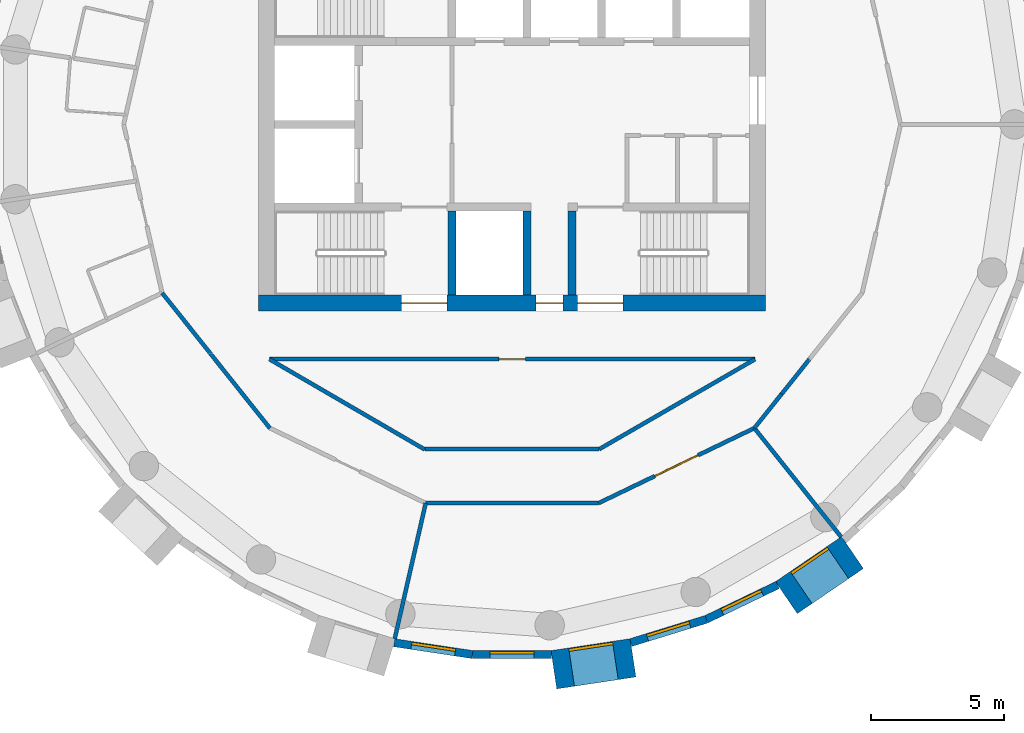
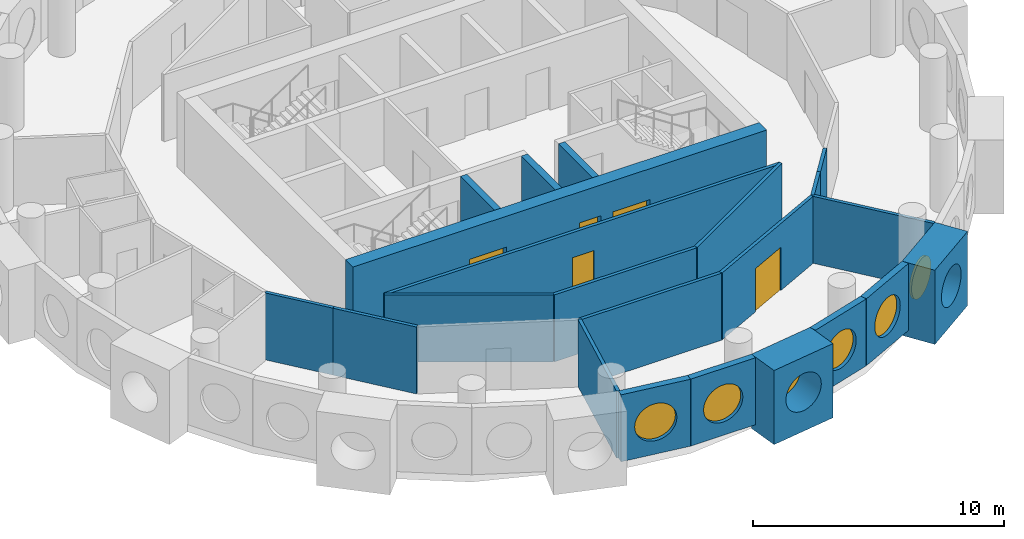
# One storey, part 3 of 12: 22 walls, 6 windows, 5 doors, 11 openings.
"""IFC4 building model written with IfcOpenShell, lengths in metres."""

from ifc_helpers import new_model, si_unit, direction, frame, frame_2d, origin, origin_2d, place, context, subcontext, project, spatial, rectangle, circle, extrude, material, layer, layer_set, type_object, element, fill, save


model = new_model("IFC4")

# Units and contexts
model_context = context("Model", 3, precision=1e-05, world=origin(), true_north=direction((0.0, 1.0)))
body_context = subcontext(model_context, "Body", "Model", "MODEL_VIEW")
ifc_project = project(units=[si_unit("LENGTHUNIT", "METRE"), si_unit("AREAUNIT", "SQUARE_METRE"), si_unit("VOLUMEUNIT", "CUBIC_METRE"), si_unit("PLANEANGLEUNIT", "RADIAN"), si_unit("MASSUNIT", "GRAM", prefix="KILO")], contexts=[model_context])

# Site, building, storey
site_placement = place(None, origin())
site = spatial("IfcSite", under=ifc_project, at=site_placement, CompositionType="ELEMENT")
building_placement = place(site_placement, origin())
building = spatial("IfcBuilding", under=site, at=building_placement, Name="Tracery Tower", CompositionType="ELEMENT")
storey_placement = place(building_placement, frame((0.0, 0.0, 245.39990234375)))
storey = spatial("IfcBuildingStorey", under=building, at=storey_placement, Name="L63", CompositionType="ELEMENT", Elevation=245.39990234375)

# Wall, openings, doors
ifc_material_1 = material(Name="Concrete C40/50", Category="concrete")
ifc_layer_1 = layer(ifc_material_1, 0.60009765625)
ifc_layer_set_1 = layer_set([ifc_layer_1], Name="Core wall 600 C40")
wall_type_1 = type_object("IfcWallType", Name="Core wall 600 C40", PredefinedType="SOLIDWALL", material=ifc_layer_set_1)
wall_1_placement = place(storey_placement, frame((-9.5, -6.699951171875, 0.0), z_axis=(0.0, 0.0, 1.0), x_axis=(1.0, 0.0, 0.0)))
wall_1 = element("IfcWall", 1, at=wall_1_placement, inside=storey, type_object=wall_type_1, Name="L63 outer S", PredefinedType="SOLIDWALL", context=body_context, shape_type="SweptSolid", body=[
    extrude(rectangle(XDim=19.0, YDim=0.60009765625, at=frame_2d((9.5, 0.0))), origin(), (0.0, 0.0, 1.0), 3.60009765625),
])
opening_1_placement = place(wall_1_placement, frame((10.39990234375, 0.0, 0.0)))
opening_1 = element("IfcOpeningElement", 2, at=opening_1_placement, cuts=wall_1, Name="Opening KD16", PredefinedType="OPENING", context=body_context, shape_type="SweptSolid", body=[
    extrude(rectangle(XDim=1.0, YDim=2.10009765625, at=frame_2d((0.5, 1.050048828125))), frame((0.0, 0.300048828125, 0.0), z_axis=(0.0, -1.0, 0.0), x_axis=(1.0, 0.0, 0.0)), (0.0, 0.0, 1.0), 0.60009765625),
])
opening_2_placement = place(wall_1_placement, frame((5.35009765625, 0.0, 0.0)))
opening_2 = element("IfcOpeningElement", 3, at=opening_2_placement, cuts=wall_1, Name="Opening KD3", PredefinedType="OPENING", context=body_context, shape_type="SweptSolid", body=[
    extrude(rectangle(XDim=1.699951171875, YDim=2.10009765625, at=frame_2d((0.85009765625, 1.050048828125))), frame((0.0, 0.300048828125, 0.0), z_axis=(0.0, -1.0, 0.0), x_axis=(1.0, 0.0, 0.0)), (0.0, 0.0, 1.0), 0.60009765625),
])
opening_3_placement = place(wall_1_placement, frame((11.949951171875, 0.0, 0.0)))
opening_3 = element("IfcOpeningElement", 4, at=opening_3_placement, cuts=wall_1, Name="Opening KD3", PredefinedType="OPENING", context=body_context, shape_type="SweptSolid", body=[
    extrude(rectangle(XDim=1.699951171875, YDim=2.10009765625, at=frame_2d((0.85009765625, 1.050048828125))), frame((0.0, 0.300048828125, 0.0), z_axis=(0.0, -1.0, 0.0), x_axis=(1.0, 0.0, 0.0)), (0.0, 0.0, 1.0), 0.60009765625),
])
ifc_material_2 = material(Name="Steel fire door", Category="steel")
door_type_1 = type_object("IfcDoorType", Name="Core exit door 1000", OperationType="NOTDEFINED", PredefinedType="DOOR", material=ifc_material_2)
door_1_placement = place(opening_1_placement, origin())
door_1 = element("IfcDoor", 5, at=door_1_placement, inside=storey, type_object=door_type_1, Name="Core exit door", OperationType="SINGLE_SWING_LEFT", OverallHeight=2.10009765625, OverallWidth=1.0, PredefinedType="DOOR", context=body_context, shape_type="SweptSolid", body=[
    extrude(rectangle(XDim=1.0, YDim=2.10009765625, at=frame_2d((0.5, 1.050048828125))), frame((0.0, 0.02490234375, 0.0), z_axis=(0.0, -1.0, 0.0), x_axis=(1.0, 0.0, 0.0)), (0.0, 0.0, 1.0), 0.050048828125),
])
fill(opening_1, door_1)
ifc_material_3 = material(Name="Steel fire door", Category="steel")
door_type_2 = type_object("IfcDoorType", Name="Core stair door 1700 double", OperationType="NOTDEFINED", PredefinedType="DOOR", material=ifc_material_3)
door_2_placement = place(opening_2_placement, origin())
door_2 = element("IfcDoor", 6, at=door_2_placement, inside=storey, type_object=door_type_2, Name="Stair door ST1 exit", OperationType="DOUBLE_DOOR_SINGLE_SWING", OverallHeight=2.10009765625, OverallWidth=1.699951171875, PredefinedType="DOOR", context=body_context, shape_type="SweptSolid", body=[
    extrude(rectangle(XDim=1.699951171875, YDim=2.10009765625, at=frame_2d((0.85009765625, 1.050048828125))), frame((0.0, 0.02490234375, 0.0), z_axis=(0.0, -1.0, 0.0), x_axis=(1.0, 0.0, 0.0)), (0.0, 0.0, 1.0), 0.050048828125),
])
fill(opening_2, door_2)
door_3_placement = place(opening_3_placement, origin())
door_3 = element("IfcDoor", 7, at=door_3_placement, inside=storey, type_object=door_type_2, Name="Stair door ST2 exit", OperationType="DOUBLE_DOOR_SINGLE_SWING", OverallHeight=2.10009765625, OverallWidth=1.699951171875, PredefinedType="DOOR", context=body_context, shape_type="SweptSolid", body=[
    extrude(rectangle(XDim=1.699951171875, YDim=2.10009765625, at=frame_2d((0.85009765625, 1.050048828125))), frame((0.0, 0.02490234375, 0.0), z_axis=(0.0, -1.0, 0.0), x_axis=(1.0, 0.0, 0.0)), (0.0, 0.0, 1.0), 0.050048828125),
])
fill(opening_3, door_3)

# Wall, opening, window
ifc_material_4 = material(Name="Precast concrete C50/60", Category="concrete")
ifc_layer_2 = layer(ifc_material_4, 1.449951171875)
ifc_layer_set_2 = layer_set([ifc_layer_2], Name="Deep-set bay unit 3000 x 3600, slab edge 350")
wall_type_2 = type_object("IfcWallType", Name="Deep-set bay unit 3000 x 3600, slab edge 350", PredefinedType="ELEMENTEDWALL", material=ifc_layer_set_2)
wall_2_placement = place(storey_placement, frame((1.563232421875, -20.436279296875, -0.349853515625), z_axis=(0.0, 0.0, 1.0), x_axis=(0.988836445254, 0.149004981587, 0.0)))
wall_2 = element("IfcWall", 8, at=wall_2_placement, inside=storey, type_object=wall_type_2, Name="Deep-set bay unit 33 at L63", PredefinedType="ELEMENTEDWALL", context=body_context, shape_type="SweptSolid", body=[
    extrude(rectangle(XDim=3.0, YDim=1.449951171875, at=frame_2d((1.5, 0.0))), origin(), (0.0, 0.0, 1.0), 3.599853515625),
])
opening_4_placement = place(wall_2_placement, frame((1.5, 0.0, 1.89990234375)))
opening_4 = element("IfcOpeningElement", 9, at=opening_4_placement, cuts=wall_2, Name="Opening WN1", PredefinedType="OPENING", context=body_context, shape_type="SweptSolid", body=[
    extrude(circle(Radius=0.9000244140625, at=origin_2d()), frame((0.0, 0.73486328125, 0.0), z_axis=(0.0, -1.0, 0.0), x_axis=(1.0, 0.0, 0.0)), (0.0, 0.0, 1.0), 1.469970703125),
])
ifc_material_5 = material(Name="Aluminium frame with tinted double glazing", Category="aluminium")
window_type = type_object("IfcWindowType", Name="Round window 1800", PartitioningType="SINGLE_PANEL", PredefinedType="WINDOW", material=ifc_material_5)
window_1_placement = place(opening_4_placement, origin())
window_1 = element("IfcWindow", 10, at=window_1_placement, inside=storey, type_object=window_type, Name="Round window 33 at L63", OverallHeight=1.800048828125, OverallWidth=1.800048828125, PartitioningType="SINGLE_PANEL", PredefinedType="WINDOW", context=body_context, shape_type="SweptSolid", body=[
    extrude(circle(Radius=0.9000244140625, at=origin_2d()), frame((0.0, 0.69482421875, 0.0), z_axis=(0.0, -1.0, 0.0), x_axis=(1.0, 0.0, 0.0)), (0.0, 0.0, 1.0), 0.10009765625),
])
fill(opening_4, window_1)

wall_3_placement = place(storey_placement, frame((10.275390625, -17.734130859375, -0.349853515625), z_axis=(0.0, 0.0, 1.0), x_axis=(0.826246281157, 0.563309047392, 0.0)))
wall_3 = element("IfcWall", 11, at=wall_3_placement, inside=storey, type_object=wall_type_2, Name="Deep-set bay unit 36 at L63", PredefinedType="ELEMENTEDWALL", context=body_context, shape_type="SweptSolid", body=[
    extrude(rectangle(XDim=3.0, YDim=1.449951171875, at=frame_2d((1.5, 0.0))), origin(), (0.0, 0.0, 1.0), 3.599853515625),
])
opening_5_placement = place(wall_3_placement, frame((1.5, 0.0, 1.89990234375)))
opening_5 = element("IfcOpeningElement", 12, at=opening_5_placement, cuts=wall_3, Name="Opening WN1", PredefinedType="OPENING", context=body_context, shape_type="SweptSolid", body=[
    extrude(circle(Radius=0.9000244140625, at=origin_2d()), frame((0.0, 0.73486328125, 0.0), z_axis=(0.0, -1.0, 0.0), x_axis=(1.0, 0.0, 0.0)), (0.0, 0.0, 1.0), 1.469970703125),
])
window_2_placement = place(opening_5_placement, origin())
window_2 = element("IfcWindow", 13, at=window_2_placement, inside=storey, type_object=window_type, Name="Round window 36 at L63", OverallHeight=1.800048828125, OverallWidth=1.800048828125, PartitioningType="SINGLE_PANEL", PredefinedType="WINDOW", context=body_context, shape_type="SweptSolid", body=[
    extrude(circle(Radius=0.9000244140625, at=origin_2d()), frame((0.0, 0.69482421875, 0.0), z_axis=(0.0, -1.0, 0.0), x_axis=(1.0, 0.0, 0.0)), (0.0, 0.0, 1.0), 0.10009765625),
])
fill(opening_5, window_2)

ifc_material_6 = material(Name="Precast concrete C50/60", Category="concrete")
ifc_layer_3 = layer(ifc_material_6, 0.300048828125)
ifc_layer_set_3 = layer_set([ifc_layer_3], Name="Facade panel 3000 x 3250")
wall_type_3 = type_object("IfcWallType", Name="Facade panel 3000 x 3250", PredefinedType="SOLIDWALL", material=ifc_layer_set_3)
wall_4_placement = place(storey_placement, frame((-4.41796875, -19.424560546875, 0.0), z_axis=(0.0, 0.0, 1.0), x_axis=(0.988835775663, -0.149009425104, 0.0)))
wall_4 = element("IfcWall", 14, at=wall_4_placement, inside=storey, type_object=wall_type_3, Name="Facade panel 31 at L63", PredefinedType="SOLIDWALL", context=body_context, shape_type="SweptSolid", body=[
    extrude(rectangle(XDim=2.962158203125, YDim=0.300048828125, at=frame_2d((1.48095703125, 0.0))), origin(), (0.0, 0.0, 1.0), 3.25),
])
opening_6_placement = place(wall_4_placement, frame((1.48095703125, 0.0, 1.5498046875)))
opening_6 = element("IfcOpeningElement", 15, at=opening_6_placement, cuts=wall_4, Name="Opening WN1", PredefinedType="OPENING", context=body_context, shape_type="SweptSolid", body=[
    extrude(circle(Radius=0.9000244140625, at=origin_2d()), frame((0.0, 0.159912109375, 0.0), z_axis=(0.0, -1.0, 0.0), x_axis=(1.0, 0.0, 0.0)), (0.0, 0.0, 1.0), 0.320068359375),
])
window_3_placement = place(opening_6_placement, origin())
window_3 = element("IfcWindow", 16, at=window_3_placement, inside=storey, type_object=window_type, Name="Round window 31 at L63", OverallHeight=1.800048828125, OverallWidth=1.800048828125, PartitioningType="SINGLE_PANEL", PredefinedType="WINDOW", context=body_context, shape_type="SweptSolid", body=[
    extrude(circle(Radius=0.9000244140625, at=origin_2d()), frame((0.0, 0.1201171875, 0.0), z_axis=(0.0, -1.0, 0.0), x_axis=(1.0, 0.0, 0.0)), (0.0, 0.0, 1.0), 0.10009765625),
])
fill(opening_6, window_3)

wall_5_placement = place(storey_placement, frame((-1.48876953125, -19.865966796875, 0.0), z_axis=(0.0, 0.0, 1.0), x_axis=(1.0, 0.0, 0.0)))
wall_5 = element("IfcWall", 17, at=wall_5_placement, inside=storey, type_object=wall_type_3, Name="Facade panel 32 at L63", PredefinedType="SOLIDWALL", context=body_context, shape_type="SweptSolid", body=[
    extrude(rectangle(XDim=2.962158203125, YDim=0.300048828125, at=frame_2d((1.48095703125, 0.0))), origin(), (0.0, 0.0, 1.0), 3.25),
])
opening_7_placement = place(wall_5_placement, frame((1.48095703125, 0.0, 1.5498046875)))
opening_7 = element("IfcOpeningElement", 18, at=opening_7_placement, cuts=wall_5, Name="Opening WN1", PredefinedType="OPENING", context=body_context, shape_type="SweptSolid", body=[
    extrude(circle(Radius=0.9000244140625, at=origin_2d()), frame((0.0, 0.159912109375, 0.0), z_axis=(0.0, -1.0, 0.0), x_axis=(1.0, 0.0, 0.0)), (0.0, 0.0, 1.0), 0.320068359375),
])
window_4_placement = place(opening_7_placement, origin())
window_4 = element("IfcWindow", 19, at=window_4_placement, inside=storey, type_object=window_type, Name="Round window 32 at L63", OverallHeight=1.800048828125, OverallWidth=1.800048828125, PartitioningType="SINGLE_PANEL", PredefinedType="WINDOW", context=body_context, shape_type="SweptSolid", body=[
    extrude(circle(Radius=0.9000244140625, at=origin_2d()), frame((0.0, 0.1201171875, 0.0), z_axis=(0.0, -1.0, 0.0), x_axis=(1.0, 0.0, 0.0)), (0.0, 0.0, 1.0), 0.10009765625),
])
fill(opening_7, window_4)

wall_6_placement = place(storey_placement, frame((4.447509765625, -19.417724609375, 0.0), z_axis=(0.0, 0.0, 1.0), x_axis=(0.95558635705, 0.294711238707, 0.0)))
wall_6 = element("IfcWall", 20, at=wall_6_placement, inside=storey, type_object=wall_type_3, Name="Facade panel 34 at L63", PredefinedType="SOLIDWALL", context=body_context, shape_type="SweptSolid", body=[
    extrude(rectangle(XDim=2.96240234375, YDim=0.300048828125, at=frame_2d((1.481201171875, 0.0))), origin(), (0.0, 0.0, 1.0), 3.25),
])
opening_8_placement = place(wall_6_placement, frame((1.48095703125, 0.0, 1.5498046875)))
opening_8 = element("IfcOpeningElement", 21, at=opening_8_placement, cuts=wall_6, Name="Opening WN1", PredefinedType="OPENING", context=body_context, shape_type="SweptSolid", body=[
    extrude(circle(Radius=0.9000244140625, at=origin_2d()), frame((0.0, 0.159912109375, 0.0), z_axis=(0.0, -1.0, 0.0), x_axis=(1.0, 0.0, 0.0)), (0.0, 0.0, 1.0), 0.320068359375),
])
window_5_placement = place(opening_8_placement, origin())
window_5 = element("IfcWindow", 22, at=window_5_placement, inside=storey, type_object=window_type, Name="Round window 34 at L63", OverallHeight=1.800048828125, OverallWidth=1.800048828125, PartitioningType="SINGLE_PANEL", PredefinedType="WINDOW", context=body_context, shape_type="SweptSolid", body=[
    extrude(circle(Radius=0.9000244140625, at=origin_2d()), frame((0.0, 0.1201171875, 0.0), z_axis=(0.0, -1.0, 0.0), x_axis=(1.0, 0.0, 0.0)), (0.0, 0.0, 1.0), 0.10009765625),
])
fill(opening_8, window_5)

wall_7_placement = place(storey_placement, frame((7.2783203125, -18.544677734375, 0.0), z_axis=(0.0, 0.0, 1.0), x_axis=(0.900939615635, 0.433944476838, 0.0)))
wall_7 = element("IfcWall", 23, at=wall_7_placement, inside=storey, type_object=wall_type_3, Name="Facade panel 35 at L63", PredefinedType="SOLIDWALL", context=body_context, shape_type="SweptSolid", body=[
    extrude(rectangle(XDim=2.962158203125, YDim=0.300048828125, at=frame_2d((1.48095703125, 0.0))), origin(), (0.0, 0.0, 1.0), 3.25),
])
opening_9_placement = place(wall_7_placement, frame((1.48095703125, 0.0, 1.5498046875)))
opening_9 = element("IfcOpeningElement", 24, at=opening_9_placement, cuts=wall_7, Name="Opening WN1", PredefinedType="OPENING", context=body_context, shape_type="SweptSolid", body=[
    extrude(circle(Radius=0.9000244140625, at=origin_2d()), frame((0.0, 0.159912109375, 0.0), z_axis=(0.0, -1.0, 0.0), x_axis=(1.0, 0.0, 0.0)), (0.0, 0.0, 1.0), 0.320068359375),
])
window_6_placement = place(opening_9_placement, origin())
window_6 = element("IfcWindow", 25, at=window_6_placement, inside=storey, type_object=window_type, Name="Round window 35 at L63", OverallHeight=1.800048828125, OverallWidth=1.800048828125, PartitioningType="SINGLE_PANEL", PredefinedType="WINDOW", context=body_context, shape_type="SweptSolid", body=[
    extrude(circle(Radius=0.9000244140625, at=origin_2d()), frame((0.0, 0.1201171875, 0.0), z_axis=(0.0, -1.0, 0.0), x_axis=(1.0, 0.0, 0.0)), (0.0, 0.0, 1.0), 0.10009765625),
])
fill(opening_9, window_6)

# Walls
ifc_material_7 = material(Name="Plasterboard on steel studs", Category="steel")
ifc_layer_4 = layer(ifc_material_7, 0.14990234375)
ifc_layer_set_4 = layer_set([ifc_layer_4], Name="Partition 150 acoustic unit wall")
wall_type_4 = type_object("IfcWallType", Name="Partition 150 acoustic unit wall", PredefinedType="PARTITIONING", material=ifc_layer_set_4)
wall_8_placement = place(storey_placement, frame((-4.39990234375, -19.27587890625, 0.0), z_axis=(0.0, 0.0, 1.0), x_axis=(0.222612505682, 0.974907007008, 0.0)))
element("IfcWall", 26, at=wall_8_placement, inside=storey, type_object=wall_type_4, Name="Unit wall RC2-066", PredefinedType="PARTITIONING", context=body_context, shape_type="SweptSolid", body=[
    extrude(rectangle(XDim=5.21484375, YDim=0.14990234375, at=frame_2d((2.607421875, 0.0))), origin(), (0.0, 0.0, 1.0), 3.25),
])
wall_9_placement = place(storey_placement, frame((9.075927734375, -11.381103515625, 0.0), z_axis=(0.0, 0.0, 1.0), x_axis=(0.623460949534, -0.781854490558, 0.0)))
element("IfcWall", 27, at=wall_9_placement, inside=storey, type_object=wall_type_4, Name="Unit wall RC2-067", PredefinedType="PARTITIONING", context=body_context, shape_type="SweptSolid", body=[
    extrude(rectangle(XDim=5.21435546875, YDim=0.14990234375, at=frame_2d((2.607177734375, 0.0))), origin(), (0.0, 0.0, 1.0), 3.25),
])

# Wall, opening, door
ifc_material_8 = material(Name="Plasterboard on steel studs", Category="steel")
ifc_layer_5 = layer(ifc_material_8, 0.14990234375)
ifc_layer_set_5 = layer_set([ifc_layer_5], Name="Partition 150 corridor wall")
wall_type_5 = type_object("IfcWallType", Name="Partition 150 corridor wall", PredefinedType="PARTITIONING", material=ifc_layer_set_5)
wall_10_placement = place(storey_placement, frame((-9.092041015625, -8.800048828125, 0.0), z_axis=(0.0, 0.0, 1.0), x_axis=(1.0, 0.0, 0.0)))
wall_10 = element("IfcWall", 28, at=wall_10_placement, inside=storey, type_object=wall_type_5, Name="Corridor wall RC2-012", PredefinedType="PARTITIONING", context=body_context, shape_type="SweptSolid", body=[
    extrude(rectangle(XDim=18.192626953125, YDim=0.14990234375, at=frame_2d((9.09619140625, 0.0))), origin(), (0.0, 0.0, 1.0), 3.25),
])
opening_10_placement = place(wall_10_placement, frame((8.592041015625, 0.0, 0.0)))
opening_10 = element("IfcOpeningElement", 29, at=opening_10_placement, cuts=wall_10, Name="Opening RC2-03", PredefinedType="OPENING", context=body_context, shape_type="SweptSolid", body=[
    extrude(rectangle(XDim=1.0, YDim=2.0400390625, at=frame_2d((0.5, 1.02001953125))), frame((0.0, 0.074951171875, 0.0), z_axis=(0.0, -1.0, 0.0), x_axis=(1.0, 0.0, 0.0)), (0.0, 0.0, 1.0), 0.14990234375),
])
ifc_material_9 = material(Name="Timber door leaf", Category="wood")
door_type_3 = type_object("IfcDoorType", Name="Door communal room 1000", OperationType="NOTDEFINED", PredefinedType="DOOR", material=ifc_material_9)
door_4_placement = place(opening_10_placement, origin())
door_4 = element("IfcDoor", 30, at=door_4_placement, inside=storey, type_object=door_type_3, Name="Communal room door RC2-03", OperationType="SINGLE_SWING_RIGHT", OverallHeight=2.0400390625, OverallWidth=1.0, PredefinedType="DOOR", context=body_context, shape_type="SweptSolid", body=[
    extrude(rectangle(XDim=1.0, YDim=2.0400390625, at=frame_2d((0.5, 1.02001953125))), frame((0.0, 0.02490234375, 0.0), z_axis=(0.0, -1.0, 0.0), x_axis=(1.0, 0.0, 0.0)), (0.0, 0.0, 1.0), 0.050048828125),
])
fill(opening_10, door_4)

# Walls
wall_11_placement = place(storey_placement, frame((-9.092041015625, -8.800048828125, 0.0), z_axis=(0.0, 0.0, 1.0), x_axis=(0.864470922103, -0.502682827277, 0.0)))
element("IfcWall", 31, at=wall_11_placement, inside=storey, type_object=wall_type_5, Name="Corridor wall RC2-013", PredefinedType="PARTITIONING", context=body_context, shape_type="SweptSolid", body=[
    extrude(rectangle(XDim=6.7353515625, YDim=0.14990234375, at=frame_2d((3.36767578125, 0.0))), origin(), (0.0, 0.0, 1.0), 3.25),
])
wall_12_placement = place(storey_placement, frame((-11.300048828125, -8.59619140625, 0.0), z_axis=(0.0, 0.0, 1.0), x_axis=(0.623165080354, -0.782090328944, 0.0)))
element("IfcWall", 32, at=wall_12_placement, inside=storey, type_object=wall_type_5, Name="Corridor wall RC2-014", PredefinedType="PARTITIONING", context=body_context, shape_type="SweptSolid", body=[
    extrude(rectangle(XDim=3.56396484375, YDim=0.14990234375, at=frame_2d((1.781982421875, 0.0))), origin(), (0.0, 0.0, 1.0), 3.25),
])
wall_13_placement = place(storey_placement, frame((10.10107421875, -10.10107421875, 0.0), z_axis=(0.0, 0.0, 1.0), x_axis=(0.623098344652, 0.782143498913, 0.0)))
element("IfcWall", 33, at=wall_13_placement, inside=storey, type_object=wall_type_5, Name="Corridor wall RC2-019", PredefinedType="PARTITIONING", context=body_context, shape_type="SweptSolid", body=[
    extrude(rectangle(XDim=1.660888671875, YDim=0.14990234375, at=frame_2d((0.83056640625, 0.0))), origin(), (0.0, 0.0, 1.0), 3.25),
])
wall_14_placement = place(storey_placement, frame((-13.114990234375, -6.31591796875, 0.0), z_axis=(0.0, 0.0, 1.0), x_axis=(0.623446514299, -0.781866001185, 0.0)))
element("IfcWall", 34, at=wall_14_placement, inside=storey, type_object=wall_type_5, Name="Corridor wall RC2-036", PredefinedType="PARTITIONING", context=body_context, shape_type="SweptSolid", body=[
    extrude(rectangle(XDim=2.9111328125, YDim=0.14990234375, at=frame_2d((1.45556640625, 0.0))), origin(), (0.0, 0.0, 1.0), 3.25),
])
wall_15_placement = place(storey_placement, frame((-3.260986328125, -12.1708984375, 0.0), z_axis=(0.0, 0.0, 1.0), x_axis=(1.0, 0.0, 0.0)))
element("IfcWall", 35, at=wall_15_placement, inside=storey, type_object=wall_type_5, Name="Corridor wall RC2-037", PredefinedType="PARTITIONING", context=body_context, shape_type="SweptSolid", body=[
    extrude(rectangle(XDim=6.52197265625, YDim=0.14990234375, at=frame_2d((3.260986328125, 0.0))), origin(), (0.0, 0.0, 1.0), 3.25),
])
wall_16_placement = place(storey_placement, frame((3.260986328125, -12.1708984375, 0.0), z_axis=(0.0, 0.0, 1.0), x_axis=(0.866066809554, 0.499928276245, 0.0)))
element("IfcWall", 36, at=wall_16_placement, inside=storey, type_object=wall_type_5, Name="Corridor wall RC2-038", PredefinedType="PARTITIONING", context=body_context, shape_type="SweptSolid", body=[
    extrude(rectangle(XDim=6.74267578125, YDim=0.14990234375, at=frame_2d((3.371337890625, 0.0))), origin(), (0.0, 0.0, 1.0), 3.25),
])

# Wall, opening, door
wall_17_placement = place(storey_placement, frame((3.239013671875, -14.19189453125, 0.0), z_axis=(0.0, 0.0, 1.0), x_axis=(0.900976027191, 0.433868872388, 0.0)))
wall_17 = element("IfcWall", 37, at=wall_17_placement, inside=storey, type_object=wall_type_5, Name="Corridor wall RC2-040", PredefinedType="PARTITIONING", context=body_context, shape_type="SweptSolid", body=[
    extrude(rectangle(XDim=6.478515625, YDim=0.14990234375, at=frame_2d((3.2392578125, 0.0))), origin(), (0.0, 0.0, 1.0), 3.25),
])
opening_11_placement = place(wall_17_placement, frame((2.339599609375, 0.0, 0.0)))
opening_11 = element("IfcOpeningElement", 38, at=opening_11_placement, cuts=wall_17, Name="Opening RC2-19", PredefinedType="OPENING", context=body_context, shape_type="SweptSolid", body=[
    extrude(rectangle(XDim=1.800048828125, YDim=2.10009765625, at=frame_2d((0.89990234375, 1.050048828125))), frame((0.0, 0.074951171875, 0.0), z_axis=(0.0, -1.0, 0.0), x_axis=(1.0, 0.0, 0.0)), (0.0, 0.0, 1.0), 0.14990234375),
])
ifc_material_10 = material(Name="Timber door leaf", Category="wood")
door_type_4 = type_object("IfcDoorType", Name="Door double lounge 1800", OperationType="NOTDEFINED", PredefinedType="DOOR", material=ifc_material_10)
door_5_placement = place(opening_11_placement, origin())
door_5 = element("IfcDoor", 39, at=door_5_placement, inside=storey, type_object=door_type_4, Name="Double lounge door RC2-19", OperationType="DOUBLE_DOOR_SINGLE_SWING", OverallHeight=2.10009765625, OverallWidth=1.800048828125, PredefinedType="DOOR", context=body_context, shape_type="SweptSolid", body=[
    extrude(rectangle(XDim=1.800048828125, YDim=2.10009765625, at=frame_2d((0.89990234375, 1.050048828125))), frame((0.0, 0.02490234375, 0.0), z_axis=(0.0, -1.0, 0.0), x_axis=(1.0, 0.0, 0.0)), (0.0, 0.0, 1.0), 0.050048828125),
])
fill(opening_11, door_5)

# Walls
wall_18_placement = place(storey_placement, frame((-3.239013671875, -14.19189453125, 0.0), z_axis=(0.0, 0.0, 1.0), x_axis=(1.0, 0.0, 0.0)))
element("IfcWall", 40, at=wall_18_placement, inside=storey, type_object=wall_type_5, Name="Corridor wall RC2-041", PredefinedType="PARTITIONING", context=body_context, shape_type="SweptSolid", body=[
    extrude(rectangle(XDim=6.47802734375, YDim=0.14990234375, at=frame_2d((3.239013671875, 0.0))), origin(), (0.0, 0.0, 1.0), 3.25),
])
wall_19_placement = place(storey_placement, frame((9.075927734375, -11.381103515625, 0.0), z_axis=(0.0, 0.0, 1.0), x_axis=(0.623805208652, 0.781579849829, 0.0)))
element("IfcWall", 41, at=wall_19_placement, inside=storey, type_object=wall_type_5, Name="Corridor wall RC2-042", PredefinedType="PARTITIONING", context=body_context, shape_type="SweptSolid", body=[
    extrude(rectangle(XDim=1.64013671875, YDim=0.14990234375, at=frame_2d((0.820068359375, 0.0))), origin(), (0.0, 0.0, 1.0), 3.25),
])
ifc_material_11 = material(Name="Concrete C40/50", Category="concrete")
ifc_layer_6 = layer(ifc_material_11, 0.300048828125)
ifc_layer_set_6 = layer_set([ifc_layer_6], Name="Shaft wall 300 C40")
wall_type_6 = type_object("IfcWallType", Name="Shaft wall 300 C40", PredefinedType="SOLIDWALL", material=ifc_layer_set_6)
wall_20_placement = place(storey_placement, frame((0.550048828125, -6.39990234375, 0.0), z_axis=(0.0, 0.0, 1.0), x_axis=(0.0, 1.0, 0.0)))
element("IfcWall", 42, at=wall_20_placement, inside=storey, type_object=wall_type_6, Name="L63 OB2 E", PredefinedType="SOLIDWALL", context=body_context, shape_type="SweptSolid", body=[
    extrude(rectangle(XDim=3.14990234375, YDim=0.300048828125, at=frame_2d((1.574951171875, 0.0))), origin(), (0.0, 0.0, 1.0), 3.25),
])
ifc_material_12 = material(Name="Concrete C40/50", Category="concrete")
ifc_layer_7 = layer(ifc_material_12, 0.300048828125)
ifc_layer_set_7 = layer_set([ifc_layer_7], Name="Stair wall 300 C40")
wall_type_7 = type_object("IfcWallType", Name="Stair wall 300 C40", PredefinedType="SOLIDWALL", material=ifc_layer_set_7)
for number, where, z_axis, x_axis, name in (
    (43, (-2.25, -6.39990234375, 0.0), (0.0, 0.0, 1.0), (0.0, 1.0, 0.0), "L63 ST1 E"),
    (44, (2.25, -6.39990234375, 0.0), (0.0, 0.0, 1.0), (0.0, 1.0, 0.0), "L63 ST2 W"),
):
    element("IfcWall", number, at=place(storey_placement, frame(where, z_axis=z_axis, x_axis=x_axis)), inside=storey, type_object=wall_type_7, Name=name, PredefinedType="SOLIDWALL", context=body_context, shape_type="SweptSolid", body=[
        extrude(rectangle(XDim=3.14990234375, YDim=0.300048828125, at=frame_2d((1.574951171875, 0.0))), origin(), (0.0, 0.0, 1.0), 3.25),
    ])

save(model, "model.ifc")
